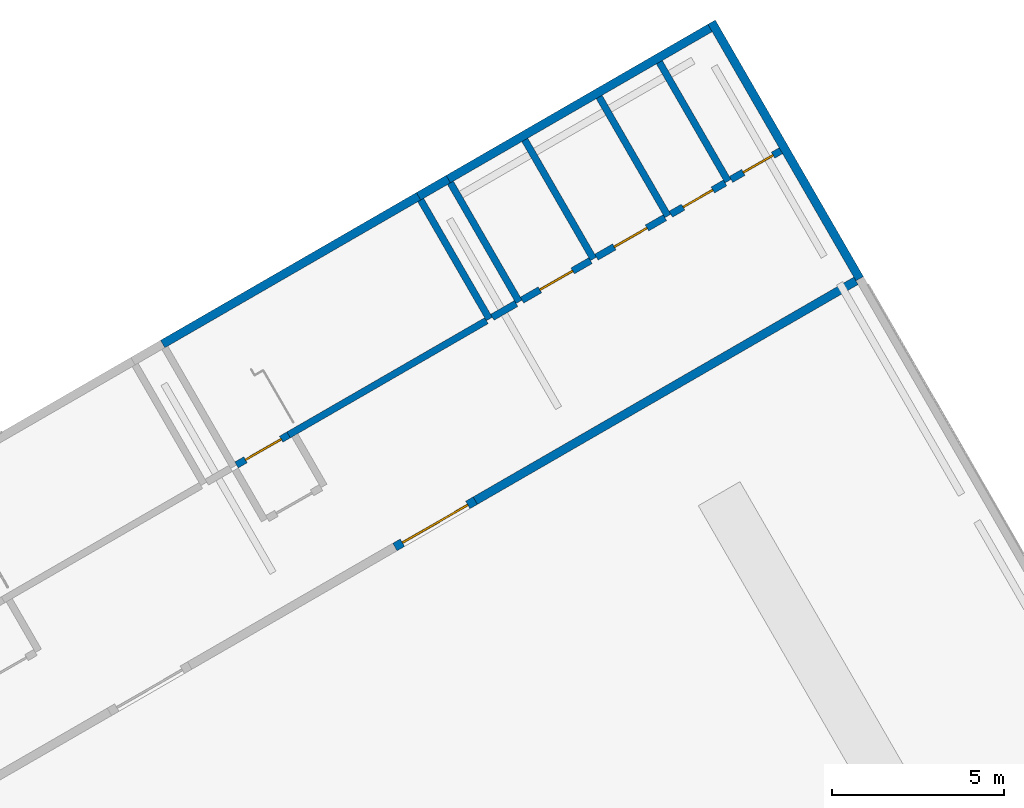
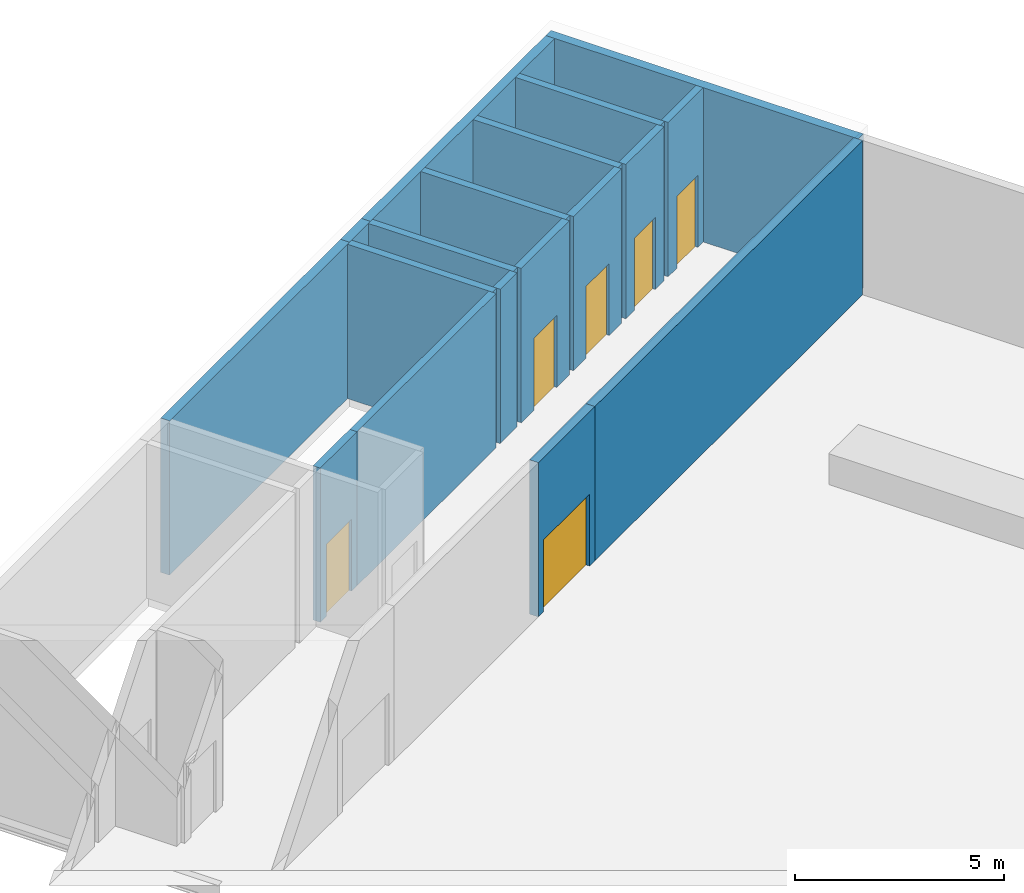
# One storey, part 32 of 41: 18 walls, 6 doors, 6 openings.
"""IFC4 building model written with IfcOpenShell, lengths in metres."""

from ifc_helpers import new_model, si_unit, direction, frame, frame_2d, origin, place, context, subcontext, project, spatial, rectangle, extrude, material, layer, layer_set, type_object, element, fill, save


model = new_model("IFC4")

# Units and contexts
model_context = context("Model", 3, precision=1e-05, world=origin(), true_north=direction((0.0, 1.0)))
body_context = subcontext(model_context, "Body", "Model", "MODEL_VIEW")
ifc_project = project(units=[si_unit("LENGTHUNIT", "METRE"), si_unit("AREAUNIT", "SQUARE_METRE"), si_unit("VOLUMEUNIT", "CUBIC_METRE"), si_unit("PLANEANGLEUNIT", "RADIAN"), si_unit("MASSUNIT", "GRAM", prefix="KILO")], contexts=[model_context])

# Site, building, storey
site_placement = place(None, origin())
site = spatial("IfcSite", under=ifc_project, at=site_placement, CompositionType="ELEMENT")
building_placement = place(site_placement, origin())
building = spatial("IfcBuilding", under=site, at=building_placement, Name="Mestral Congress Tower", CompositionType="ELEMENT")
storey_placement = place(building_placement, frame((0.0, 0.0, 21.60009765625)))
storey = spatial("IfcBuildingStorey", under=building, at=storey_placement, Name="L04", CompositionType="ELEMENT", Elevation=21.60009765625)

# Wall
ifc_material_1 = material(Name="Precast concrete C40/50 with limestone facing", Category="masonry")
ifc_layer_1 = layer(ifc_material_1, 0.25)
ifc_layer_set_1 = layer_set([ifc_layer_1], Name="Precast concrete C40/50 with limestone facing")
wall_type_1 = type_object("IfcWallType", Name="Podium external wall 250 R 180 load-bearing to roof", PredefinedType="SOLIDWALL", material=ifc_layer_set_1)
wall_1_placement = place(storey_placement, frame((43.915283203125, 71.54248046875, 0.0), z_axis=(0.0, 0.0, 1.0), x_axis=(0.499999331568, -0.866025789703, 0.0)))
element("IfcWall", 1, at=wall_1_placement, inside=storey, type_object=wall_type_1, Name="L04 external wall", PredefinedType="SOLIDWALL", context=body_context, shape_type="SweptSolid", body=[
    extrude(rectangle(XDim=8.625, YDim=0.25, at=frame_2d((4.3125, 0.0))), origin(), (0.0, 0.0, 1.0), 4.5),
])

# Wall, opening, door
wall_2_placement = place(storey_placement, frame((37.034423828125, 57.610595703125, 0.0), z_axis=(0.0, 0.0, 1.0), x_axis=(-0.866019956843, -0.50000943426, 0.0)))
wall_2 = element("IfcWall", 2, at=wall_2_placement, inside=storey, type_object=wall_type_1, Name="L04 external wall", PredefinedType="SOLIDWALL", context=body_context, shape_type="SweptSolid", body=[
    extrude(rectangle(XDim=2.7001953125, YDim=0.25, at=frame_2d((1.35009765625, 0.0))), origin(), (0.0, 0.0, 1.0), 4.5),
])
opening_1_placement = place(wall_2_placement, frame((0.25, 0.0, 0.0)))
opening_1 = element("IfcOpeningElement", 3, at=opening_1_placement, cuts=wall_2, Name="Opening P04-006", PredefinedType="OPENING", context=body_context, shape_type="SweptSolid", body=[
    extrude(rectangle(XDim=2.199951171875, YDim=2.10009765625, at=frame_2d((1.10009765625, 1.050048828125))), frame((0.0, 0.135009765625, 0.0), z_axis=(0.0, -1.0, 0.0), x_axis=(1.0, 0.0, 0.0)), (0.0, 0.0, 1.0), 0.27001953125),
])
ifc_material_2 = material(Name="Steel and glass door set", Category="steel")
door_type_1 = type_object("IfcDoorType", Name="Podium entrance door 2200x2100", OperationType="DOUBLE_DOOR_SINGLE_SWING", PredefinedType="DOOR", material=ifc_material_2)
door_1_placement = place(opening_1_placement, origin())
door_1 = element("IfcDoor", 4, at=door_1_placement, inside=storey, type_object=door_type_1, Name="Door P04-006", OperationType="DOUBLE_DOOR_SINGLE_SWING", OverallHeight=2.10009765625, OverallWidth=2.199951171875, PredefinedType="DOOR", context=body_context, shape_type="SweptSolid", body=[
    extrude(rectangle(XDim=2.199951171875, YDim=2.10009765625, at=frame_2d((1.10009765625, 1.050048828125))), frame((0.0, 0.02490234375, 0.0), z_axis=(0.0, -1.0, 0.0), x_axis=(1.0, 0.0, 0.0)), (0.0, 0.0, 1.0), 0.050048828125),
])
fill(opening_1, door_1)

# Walls
wall_3_placement = place(storey_placement, frame((37.034423828125, 57.610595703125, 0.0), z_axis=(0.0, 0.0, 1.0), x_axis=(0.866025499775, 0.499999833739, 0.0)))
element("IfcWall", 5, at=wall_3_placement, inside=storey, type_object=wall_type_1, Name="L04 external wall", PredefinedType="SOLIDWALL", context=body_context, shape_type="SweptSolid", body=[
    extrude(rectangle(XDim=12.7998046875, YDim=0.25, at=frame_2d((6.39990234375, 0.0))), origin(), (0.0, 0.0, 1.0), 4.5),
])
wall_4_placement = place(storey_placement, frame((27.9345703125, 62.171875, 0.0), z_axis=(0.0, 0.0, 1.0), x_axis=(0.86604045752, 0.499973925258, 0.0)))
element("IfcWall", 6, at=wall_4_placement, inside=storey, type_object=wall_type_1, Name="L04 external wall", PredefinedType="SOLIDWALL", context=body_context, shape_type="SweptSolid", body=[
    extrude(rectangle(XDim=8.60009765625, YDim=0.25, at=frame_2d((4.300048828125, 0.0))), origin(), (0.0, 0.0, 1.0), 4.5),
])
wall_5_placement = place(storey_placement, frame((36.24853515625, 66.9716796875, 0.0), z_axis=(0.0, 0.0, 1.0), x_axis=(0.866013253925, 0.500021043584, 0.0)))
element("IfcWall", 7, at=wall_5_placement, inside=storey, type_object=wall_type_1, Name="L04 external wall", PredefinedType="SOLIDWALL", context=body_context, shape_type="SweptSolid", body=[
    extrude(rectangle(XDim=8.7998046875, YDim=0.25, at=frame_2d((4.39990234375, 0.0))), origin(), (0.0, 0.0, 1.0), 4.5),
])
wall_6_placement = place(storey_placement, frame((35.382568359375, 66.4716796875, 0.0), z_axis=(0.0, 0.0, 1.0), x_axis=(0.866010750942, 0.50002537861, 0.0)))
element("IfcWall", 8, at=wall_6_placement, inside=storey, type_object=wall_type_1, Name="L04 external wall", PredefinedType="SOLIDWALL", context=body_context, shape_type="SweptSolid", body=[
    extrude(rectangle(XDim=1.0, YDim=0.25, at=frame_2d((0.5, 0.0))), origin(), (0.0, 0.0, 1.0), 4.5),
])
ifc_material_3 = material(Name="Masonry block wall", Category="masonry")
ifc_layer_2 = layer(ifc_material_3, 0.199951171875)
ifc_layer_set_2 = layer_set([ifc_layer_2], Name="Masonry block wall")
wall_type_2 = type_object("IfcWallType", Name="Podium stair enclosure wall 200 EI 120 load-bearing", PredefinedType="SOLIDWALL", material=ifc_layer_set_2)
wall_7_placement = place(storey_placement, frame((37.445068359375, 62.8994140625, 0.0), z_axis=(0.0, 0.0, 1.0), x_axis=(-0.49999894854, 0.866026010844, 0.0)))
element("IfcWall", 9, at=wall_7_placement, inside=storey, type_object=wall_type_2, Name="L04 partition", PredefinedType="SOLIDWALL", context=body_context, shape_type="SweptSolid", body=[
    extrude(rectangle(XDim=4.0, YDim=0.199951171875, at=frame_2d((2.0, 0.0))), origin(), (0.0, 0.0, 1.0), 4.5),
])

# Wall, opening, door
wall_8_placement = place(storey_placement, frame((30.083740234375, 58.6494140625, 0.0), z_axis=(0.0, 0.0, 1.0), x_axis=(0.866036909293, 0.499980071345, 0.0)))
wall_8 = element("IfcWall", 10, at=wall_8_placement, inside=storey, type_object=wall_type_2, Name="L04 partition", PredefinedType="SOLIDWALL", context=body_context, shape_type="SweptSolid", body=[
    extrude(rectangle(XDim=1.75, YDim=0.199951171875, at=frame_2d((0.875, 0.0))), origin(), (0.0, 0.0, 1.0), 4.5),
])
opening_2_placement = place(wall_8_placement, frame((0.300048828125, 0.0, 0.0)))
opening_2 = element("IfcOpeningElement", 11, at=opening_2_placement, cuts=wall_8, Name="Opening P04-012", PredefinedType="OPENING", context=body_context, shape_type="SweptSolid", body=[
    extrude(rectangle(XDim=1.199951171875, YDim=2.10009765625, at=frame_2d((0.60009765625, 1.050048828125))), frame((0.0, 0.10986328125, 0.0), z_axis=(0.0, -1.0, 0.0), x_axis=(1.0, 0.0, 0.0)), (0.0, 0.0, 1.0), 0.219970703125),
])
ifc_material_4 = material(Name="Fire-rated steel door set", Category="steel")
door_type_2 = type_object("IfcDoorType", Name="Podium stair door 1200x2100 EI2 30-C5", OperationType="SINGLE_SWING_LEFT", PredefinedType="DOOR", material=ifc_material_4)
door_2_placement = place(opening_2_placement, origin())
door_2 = element("IfcDoor", 12, at=door_2_placement, inside=storey, type_object=door_type_2, Name="Door P04-012", OperationType="SINGLE_SWING_LEFT", OverallHeight=2.10009765625, OverallWidth=1.199951171875, PredefinedType="DOOR", context=body_context, shape_type="SweptSolid", body=[
    extrude(rectangle(XDim=1.199951171875, YDim=2.10009765625, at=frame_2d((0.60009765625, 1.050048828125))), frame((0.0, 0.02490234375, 0.0), z_axis=(0.0, -1.0, 0.0), x_axis=(1.0, 0.0, 0.0)), (0.0, 0.0, 1.0), 0.050048828125),
])
fill(opening_2, door_2)

# Walls
wall_9_placement = place(storey_placement, frame((31.599365234375, 59.5244140625, 0.0), z_axis=(0.0, 0.0, 1.0), x_axis=(0.866027239912, 0.49999681972, 0.0)))
element("IfcWall", 13, at=wall_9_placement, inside=storey, type_object=wall_type_2, Name="L04 partition", PredefinedType="SOLIDWALL", context=body_context, shape_type="SweptSolid", body=[
    extrude(rectangle(XDim=6.64990234375, YDim=0.199951171875, at=frame_2d((3.324951171875, 0.0))), origin(), (0.0, 0.0, 1.0), 4.5),
])
for number, where, z_axis, x_axis, name in (
    (14, (38.31103515625, 63.3994140625, 0.0), (0.0, 0.0, 1.0), (-0.49999894854, 0.866026010844, 0.0), "L04 partition"),
    (15, (40.47607421875, 64.6494140625, 0.0), (0.0, 0.0, 1.0), (-0.49999894854, 0.866026010844, 0.0), "L04 partition"),
    (16, (42.64111328125, 65.8994140625, 0.0), (0.0, 0.0, 1.0), (-0.49999894854, 0.866026010844, 0.0), "L04 partition"),
):
    element("IfcWall", number, at=place(storey_placement, frame(where, z_axis=z_axis, x_axis=x_axis)), inside=storey, type_object=wall_type_2, Name=name, PredefinedType="SOLIDWALL", context=body_context, shape_type="SweptSolid", body=[
        extrude(rectangle(XDim=4.0, YDim=0.199951171875, at=frame_2d((2.0, 0.0))), origin(), (0.0, 0.0, 1.0), 4.5),
    ])

# Wall, opening, door
wall_10_placement = place(storey_placement, frame((38.397705078125, 63.449462890625, 0.0), z_axis=(0.0, 0.0, 1.0), x_axis=(0.86602648383, 0.499998129301, 0.0)))
wall_10 = element("IfcWall", 17, at=wall_10_placement, inside=storey, type_object=wall_type_2, Name="L04 partition", PredefinedType="SOLIDWALL", context=body_context, shape_type="SweptSolid", body=[
    extrude(rectangle(XDim=2.2998046875, YDim=0.199951171875, at=frame_2d((1.14990234375, 0.0))), origin(), (0.0, 0.0, 1.0), 4.5),
])
opening_3_placement = place(wall_10_placement, frame((0.60009765625, 0.0, 0.0)))
opening_3 = element("IfcOpeningElement", 18, at=opening_3_placement, cuts=wall_10, Name="Opening P04-015", PredefinedType="OPENING", context=body_context, shape_type="SweptSolid", body=[
    extrude(rectangle(XDim=1.10009765625, YDim=2.10009765625, at=frame_2d((0.550048828125, 1.050048828125))), frame((0.0, 0.10986328125, 0.0), z_axis=(0.0, -1.0, 0.0), x_axis=(1.0, 0.0, 0.0)), (0.0, 0.0, 1.0), 0.219970703125),
])
door_type_3 = type_object("IfcDoorType", Name="Podium lift landing door 1100x2100 EI2 60-C5", OperationType="DOUBLE_DOOR_SLIDING", PredefinedType="DOOR", material=ifc_material_4)
door_3_placement = place(opening_3_placement, origin())
door_3 = element("IfcDoor", 19, at=door_3_placement, inside=storey, type_object=door_type_3, Name="Door P04-015", OperationType="DOUBLE_DOOR_SLIDING", OverallHeight=2.10009765625, OverallWidth=1.10009765625, PredefinedType="DOOR", context=body_context, shape_type="SweptSolid", body=[
    extrude(rectangle(XDim=1.10009765625, YDim=2.10009765625, at=frame_2d((0.550048828125, 1.050048828125))), frame((0.0, 0.02490234375, 0.0), z_axis=(0.0, -1.0, 0.0), x_axis=(1.0, 0.0, 0.0)), (0.0, 0.0, 1.0), 0.050048828125),
])
fill(opening_3, door_3)

wall_11_placement = place(storey_placement, frame((40.562744140625, 64.699462890625, 0.0), z_axis=(0.0, 0.0, 1.0), x_axis=(0.86602648383, 0.499998129301, 0.0)))
wall_11 = element("IfcWall", 20, at=wall_11_placement, inside=storey, type_object=wall_type_2, Name="L04 partition", PredefinedType="SOLIDWALL", context=body_context, shape_type="SweptSolid", body=[
    extrude(rectangle(XDim=2.2998046875, YDim=0.199951171875, at=frame_2d((1.14990234375, 0.0))), origin(), (0.0, 0.0, 1.0), 4.5),
])
opening_4_placement = place(wall_11_placement, frame((0.60009765625, 0.0, 0.0)))
opening_4 = element("IfcOpeningElement", 21, at=opening_4_placement, cuts=wall_11, Name="Opening P04-016", PredefinedType="OPENING", context=body_context, shape_type="SweptSolid", body=[
    extrude(rectangle(XDim=1.10009765625, YDim=2.10009765625, at=frame_2d((0.550048828125, 1.050048828125))), frame((0.0, 0.10986328125, 0.0), z_axis=(0.0, -1.0, 0.0), x_axis=(1.0, 0.0, 0.0)), (0.0, 0.0, 1.0), 0.219970703125),
])
door_4_placement = place(opening_4_placement, origin())
door_4 = element("IfcDoor", 22, at=door_4_placement, inside=storey, type_object=door_type_3, Name="Door P04-016", OperationType="DOUBLE_DOOR_SLIDING", OverallHeight=2.10009765625, OverallWidth=1.10009765625, PredefinedType="DOOR", context=body_context, shape_type="SweptSolid", body=[
    extrude(rectangle(XDim=1.10009765625, YDim=2.10009765625, at=frame_2d((0.550048828125, 1.050048828125))), frame((0.0, 0.02490234375, 0.0), z_axis=(0.0, -1.0, 0.0), x_axis=(1.0, 0.0, 0.0)), (0.0, 0.0, 1.0), 0.050048828125),
])
fill(opening_4, door_4)

# Wall
ifc_material_5 = material(Name="Fire-rated board partition")
ifc_layer_3 = layer(ifc_material_5, 0.199951171875)
ifc_layer_set_3 = layer_set([ifc_layer_3], Name="Fire-rated board partition")
wall_type_3 = type_object("IfcWallType", Name="Podium vestibule wall 200 EI 120", PredefinedType="PARTITIONING", material=ifc_layer_set_3)
wall_12_placement = place(storey_placement, frame((44.394775390625, 66.911865234375, 0.0), z_axis=(0.0, 0.0, 1.0), x_axis=(-0.49999894854, 0.866026010844, 0.0)))
element("IfcWall", 23, at=wall_12_placement, inside=storey, type_object=wall_type_3, Name="L04 partition", PredefinedType="PARTITIONING", context=body_context, shape_type="SweptSolid", body=[
    extrude(rectangle(XDim=4.0, YDim=0.199951171875, at=frame_2d((2.0, 0.0))), origin(), (0.0, 0.0, 1.0), 4.5),
])

# Wall, opening, door
wall_13_placement = place(storey_placement, frame((42.727783203125, 65.949462890625, 0.0), z_axis=(0.0, 0.0, 1.0), x_axis=(0.866036312054, 0.499981105847, 0.0)))
wall_13 = element("IfcWall", 24, at=wall_13_placement, inside=storey, type_object=wall_type_3, Name="L04 partition", PredefinedType="PARTITIONING", context=body_context, shape_type="SweptSolid", body=[
    extrude(rectangle(XDim=1.82470703125, YDim=0.199951171875, at=frame_2d((0.912353515625, 0.0))), origin(), (0.0, 0.0, 1.0), 4.5),
])
opening_5_placement = place(wall_13_placement, frame((0.41259765625, 0.0, 0.0)))
opening_5 = element("IfcOpeningElement", 25, at=opening_5_placement, cuts=wall_13, Name="Opening P04-027", PredefinedType="OPENING", context=body_context, shape_type="SweptSolid", body=[
    extrude(rectangle(XDim=1.0, YDim=2.10009765625, at=frame_2d((0.5, 1.050048828125))), frame((0.0, 0.10986328125, 0.0), z_axis=(0.0, -1.0, 0.0), x_axis=(1.0, 0.0, 0.0)), (0.0, 0.0, 1.0), 0.219970703125),
])
door_type_4 = type_object("IfcDoorType", Name="Podium room door 1000x2100 EI2 30-C5", OperationType="SINGLE_SWING_LEFT", PredefinedType="DOOR", material=ifc_material_4)
door_5_placement = place(opening_5_placement, origin())
door_5 = element("IfcDoor", 26, at=door_5_placement, inside=storey, type_object=door_type_4, Name="Door P04-027", OperationType="SINGLE_SWING_LEFT", OverallHeight=2.10009765625, OverallWidth=1.0, PredefinedType="DOOR", context=body_context, shape_type="SweptSolid", body=[
    extrude(rectangle(XDim=1.0, YDim=2.10009765625, at=frame_2d((0.5, 1.050048828125))), frame((0.0, 0.02490234375, 0.0), z_axis=(0.0, -1.0, 0.0), x_axis=(1.0, 0.0, 0.0)), (0.0, 0.0, 1.0), 0.050048828125),
])
fill(opening_5, door_5)

wall_14_placement = place(storey_placement, frame((44.4814453125, 66.9619140625, 0.0), z_axis=(0.0, 0.0, 1.0), x_axis=(0.866027799164, 0.499995851058, 0.0)))
wall_14 = element("IfcWall", 27, at=wall_14_placement, inside=storey, type_object=wall_type_3, Name="L04 partition", PredefinedType="PARTITIONING", context=body_context, shape_type="SweptSolid", body=[
    extrude(rectangle(XDim=1.6748046875, YDim=0.199951171875, at=frame_2d((0.83740234375, 0.0))), origin(), (0.0, 0.0, 1.0), 4.5),
])
opening_6_placement = place(wall_14_placement, frame((0.41259765625, 0.0, 0.0)))
opening_6 = element("IfcOpeningElement", 28, at=opening_6_placement, cuts=wall_14, Name="Opening P04-028", PredefinedType="OPENING", context=body_context, shape_type="SweptSolid", body=[
    extrude(rectangle(XDim=1.0, YDim=2.10009765625, at=frame_2d((0.5, 1.050048828125))), frame((0.0, 0.10986328125, 0.0), z_axis=(0.0, -1.0, 0.0), x_axis=(1.0, 0.0, 0.0)), (0.0, 0.0, 1.0), 0.219970703125),
])
door_6_placement = place(opening_6_placement, origin())
door_6 = element("IfcDoor", 29, at=door_6_placement, inside=storey, type_object=door_type_4, Name="Door P04-028", OperationType="SINGLE_SWING_LEFT", OverallHeight=2.10009765625, OverallWidth=1.0, PredefinedType="DOOR", context=body_context, shape_type="SweptSolid", body=[
    extrude(rectangle(XDim=1.0, YDim=2.10009765625, at=frame_2d((0.5, 1.050048828125))), frame((0.0, 0.02490234375, 0.0), z_axis=(0.0, -1.0, 0.0), x_axis=(1.0, 0.0, 0.0)), (0.0, 0.0, 1.0), 0.050048828125),
])
fill(opening_6, door_6)

# Wall
wall_15_placement = place(storey_placement, frame((37.531494140625, 62.949462890625, 0.0), z_axis=(0.0, 0.0, 1.0), x_axis=(0.866094119867, 0.499880961361, 0.0)))
element("IfcWall", 30, at=wall_15_placement, inside=storey, type_object=wall_type_3, Name="L04 partition", PredefinedType="PARTITIONING", context=body_context, shape_type="SweptSolid", body=[
    extrude(rectangle(XDim=0.800048828125, YDim=0.199951171875, at=frame_2d((0.39990234375, 0.0))), origin(), (0.0, 0.0, 1.0), 4.5),
])

save(model, "model.ifc")
